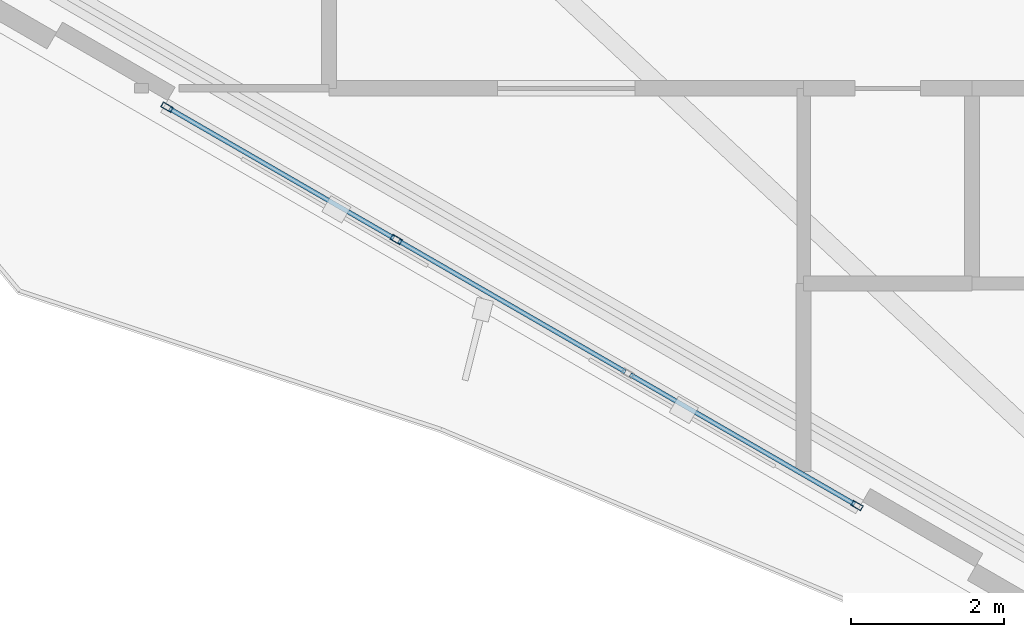
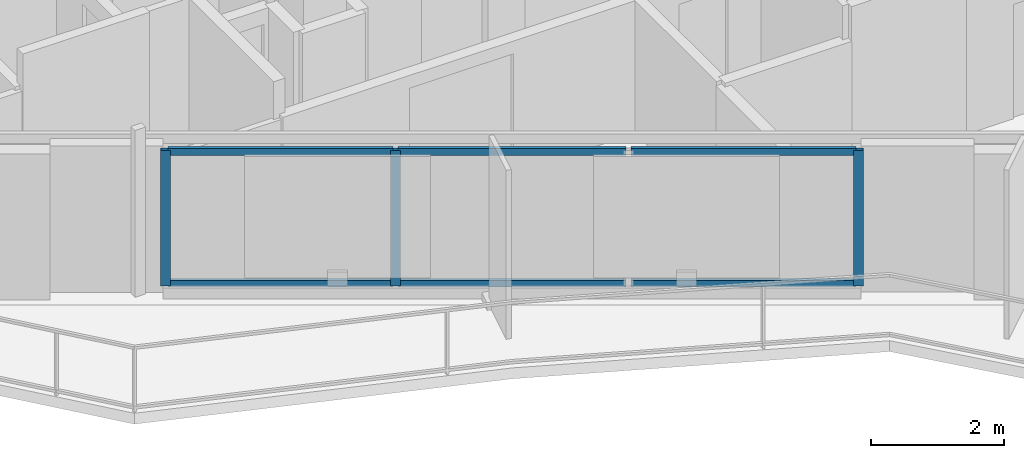
# One storey, part 2 of 19: 9 members, 1 element without a shape of its own.
"""IFC4 building model written with IfcOpenShell, lengths in metres."""

from ifc_helpers import new_model, si_unit, direction, frame, origin, origin_2d, place, context, subcontext, project, spatial, hollow_rectangle, extrude, material, layer, layer_set, material_profile, profile_set, type_object, element, aggregate, save


model = new_model("IFC4")

# Units and contexts
model_context = context("Model", 3, precision=1e-05, world=origin(), true_north=direction((0.0, 1.0)))
body_context = subcontext(model_context, "Body", "Model", "MODEL_VIEW")
ifc_project = project(units=[si_unit("LENGTHUNIT", "METRE"), si_unit("AREAUNIT", "SQUARE_METRE"), si_unit("VOLUMEUNIT", "CUBIC_METRE"), si_unit("PLANEANGLEUNIT", "RADIAN"), si_unit("MASSUNIT", "GRAM", prefix="KILO")], contexts=[model_context])

# Site, building, storey
site_placement = place(None, origin())
site = spatial("IfcSite", under=ifc_project, at=site_placement, CompositionType="ELEMENT")
building_placement = place(site_placement, origin())
building = spatial("IfcBuilding", under=site, at=building_placement, Name="Mersakhor Tower and Convention Hall", CompositionType="ELEMENT")
storey_placement = place(building_placement, frame((0.0, 0.0, 124.5)))
storey = spatial("IfcBuildingStorey", under=building, at=storey_placement, Name="L34", CompositionType="ELEMENT", Elevation=124.5)

# Curtain wall, members
ifc_material_1 = material(Name="Dark solar low-E aluminium curtain wall", Category="aluminium")
ifc_layer = layer(ifc_material_1, 0.169921875)
ifc_layer_set = layer_set([ifc_layer], Name="Dark solar low-E aluminium curtain wall")
curtain_wall_type = type_object("IfcCurtainWallType", Name="CW-SYS-02", PredefinedType="USERDEFINED", material=ifc_layer_set)
curtain_wall_placement = place(storey_placement, origin())
curtain_wall = element("IfcCurtainWall", 1, at=curtain_wall_placement, inside=storey, type_object=curtain_wall_type, Name="L34 Dark-Glass Curtain Wall F3-B2", ObjectType="CURTAIN WALL", PredefinedType="USERDEFINED")
ifc_material_2 = material(Name="Anodised aluminium EN AW-6063 T6", Category="aluminium")
ifc_material_profile_1 = material_profile(ifc_material_2, hollow_rectangle(XDim=0.074951171875, YDim=0.14990234375, WallThickness=0.00634765625, at=origin_2d()), Name="RHS 150x75x6.3")
ifc_profile_set_1 = profile_set([ifc_material_profile_1], Name="Anodised aluminium EN AW-6063 T6")
member_type_1 = type_object("IfcMemberType", Name="CWM-150x75", PredefinedType="MULLION", material=ifc_profile_set_1)
member_1_placement = place(storey_placement, frame((26.8984375, 12.69921875, 0.199951171875), z_axis=(0.0, 0.0, 1.0), x_axis=(-0.499990468363, -0.866030906807, 0.0)))
member_1 = element("IfcMember", 2, at=member_1_placement, type_object=member_type_1, Name="CW-02 mullion 1", PredefinedType="MULLION", context=body_context, shape_type="SweptSolid", body=[
    extrude(hollow_rectangle(XDim=0.074951171875, YDim=0.14990234375, WallThickness=0.00634765625, at=origin_2d()), origin(), (0.0, 0.0, 1.0), 2.47998046875),
])
member_2_placement = place(storey_placement, frame((20.876953125, 16.17578125, 0.199951171875), z_axis=(0.0, 0.0, 1.0), x_axis=(-0.499990468363, -0.866030906807, 0.0)))
member_2 = element("IfcMember", 3, at=member_2_placement, type_object=member_type_1, Name="CW-02 mullion 3", PredefinedType="MULLION", context=body_context, shape_type="SweptSolid", body=[
    extrude(hollow_rectangle(XDim=0.074951171875, YDim=0.14990234375, WallThickness=0.00634765625, at=origin_2d()), origin(), (0.0, 0.0, 1.0), 2.47998046875),
])
member_3_placement = place(storey_placement, frame((17.88232421875, 17.904541015625, 0.199951171875), z_axis=(0.0, 0.0, 1.0), x_axis=(-0.499990468363, -0.866030906807, 0.0)))
member_3 = element("IfcMember", 4, at=member_3_placement, type_object=member_type_1, Name="CW-02 mullion 4", PredefinedType="MULLION", context=body_context, shape_type="SweptSolid", body=[
    extrude(hollow_rectangle(XDim=0.074951171875, YDim=0.14990234375, WallThickness=0.00634765625, at=origin_2d()), origin(), (0.0, 0.0, 1.0), 2.47998046875),
])
ifc_material_3 = material(Name="Anodised aluminium EN AW-6063 T6", Category="aluminium")
ifc_material_profile_2 = material_profile(ifc_material_3, hollow_rectangle(XDim=0.06005859375, YDim=0.1201171875, WallThickness=0.0048828125, at=origin_2d()), Name="RHS 120x60x5")
ifc_profile_set_2 = profile_set([ifc_material_profile_2], Name="Anodised aluminium EN AW-6063 T6")
member_type_2 = type_object("IfcMemberType", Name="CWT-120x60", PredefinedType="USERDEFINED", material=ifc_profile_set_2)
member_4_placement = place(storey_placement, frame((26.865966796875, 12.718017578125, 0.22998046875), z_axis=(-0.866044963944, 0.49996611928, 0.0), x_axis=(-0.49996611928, -0.866044963944, 0.0)))
member_4 = element("IfcMember", 5, at=member_4_placement, type_object=member_type_2, Name="CW-02 transom 1.1", ObjectType="TRANSOM", PredefinedType="USERDEFINED", context=body_context, shape_type="SweptSolid", body=[
    extrude(hollow_rectangle(XDim=0.06005859375, YDim=0.1201171875, WallThickness=0.0048828125, at=origin_2d()), origin(), (0.0, 0.0, 1.0), 3.382568359375),
])
member_5_placement = place(storey_placement, frame((26.865966796875, 12.718017578125, 2.64990234375), z_axis=(-0.866044963944, 0.49996611928, 0.0), x_axis=(-0.49996611928, -0.866044963944, 0.0)))
member_5 = element("IfcMember", 6, at=member_5_placement, type_object=member_type_2, Name="CW-02 transom 1.2", ObjectType="TRANSOM", PredefinedType="USERDEFINED", context=body_context, shape_type="SweptSolid", body=[
    extrude(hollow_rectangle(XDim=0.06005859375, YDim=0.1201171875, WallThickness=0.0048828125, at=origin_2d()), origin(), (0.0, 0.0, 1.0), 3.382568359375),
])
member_6_placement = place(storey_placement, frame((23.871337890625, 14.44677734375, 0.22998046875), z_axis=(-0.866007273829, 0.50003140069, 0.0), x_axis=(-0.50003140069, -0.866007273829, 0.0)))
member_6 = element("IfcMember", 7, at=member_6_placement, type_object=member_type_2, Name="CW-02 transom 2.1", ObjectType="TRANSOM", PredefinedType="USERDEFINED", context=body_context, shape_type="SweptSolid", body=[
    extrude(hollow_rectangle(XDim=0.06005859375, YDim=0.1201171875, WallThickness=0.0048828125, at=origin_2d()), origin(), (0.0, 0.0, 1.0), 3.420166015625),
])
member_7_placement = place(storey_placement, frame((23.871337890625, 14.44677734375, 2.64990234375), z_axis=(-0.866007273829, 0.50003140069, 0.0), x_axis=(-0.50003140069, -0.866007273829, 0.0)))
member_7 = element("IfcMember", 8, at=member_7_placement, type_object=member_type_2, Name="CW-02 transom 2.2", ObjectType="TRANSOM", PredefinedType="USERDEFINED", context=body_context, shape_type="SweptSolid", body=[
    extrude(hollow_rectangle(XDim=0.06005859375, YDim=0.1201171875, WallThickness=0.0048828125, at=origin_2d()), origin(), (0.0, 0.0, 1.0), 3.420166015625),
])
member_8_placement = place(storey_placement, frame((20.844482421875, 16.1943359375, 0.22998046875), z_axis=(-0.866031754707, 0.499988999718, 0.0), x_axis=(-0.499988999718, -0.866031754707, 0.0)))
member_8 = element("IfcMember", 9, at=member_8_placement, type_object=member_type_2, Name="CW-02 transom 3.1", ObjectType="TRANSOM", PredefinedType="USERDEFINED", context=body_context, shape_type="SweptSolid", body=[
    extrude(hollow_rectangle(XDim=0.06005859375, YDim=0.1201171875, WallThickness=0.0048828125, at=origin_2d()), origin(), (0.0, 0.0, 1.0), 3.3828125),
])
member_9_placement = place(storey_placement, frame((20.844482421875, 16.1943359375, 2.64990234375), z_axis=(-0.866031754707, 0.499988999718, 0.0), x_axis=(-0.499988999718, -0.866031754707, 0.0)))
member_9 = element("IfcMember", 10, at=member_9_placement, type_object=member_type_2, Name="CW-02 transom 3.2", ObjectType="TRANSOM", PredefinedType="USERDEFINED", context=body_context, shape_type="SweptSolid", body=[
    extrude(hollow_rectangle(XDim=0.06005859375, YDim=0.1201171875, WallThickness=0.0048828125, at=origin_2d()), origin(), (0.0, 0.0, 1.0), 3.3828125),
])
aggregate(curtain_wall, [member_1, member_2, member_3, member_4, member_5, member_6, member_7, member_8, member_9])

save(model, "model.ifc")
